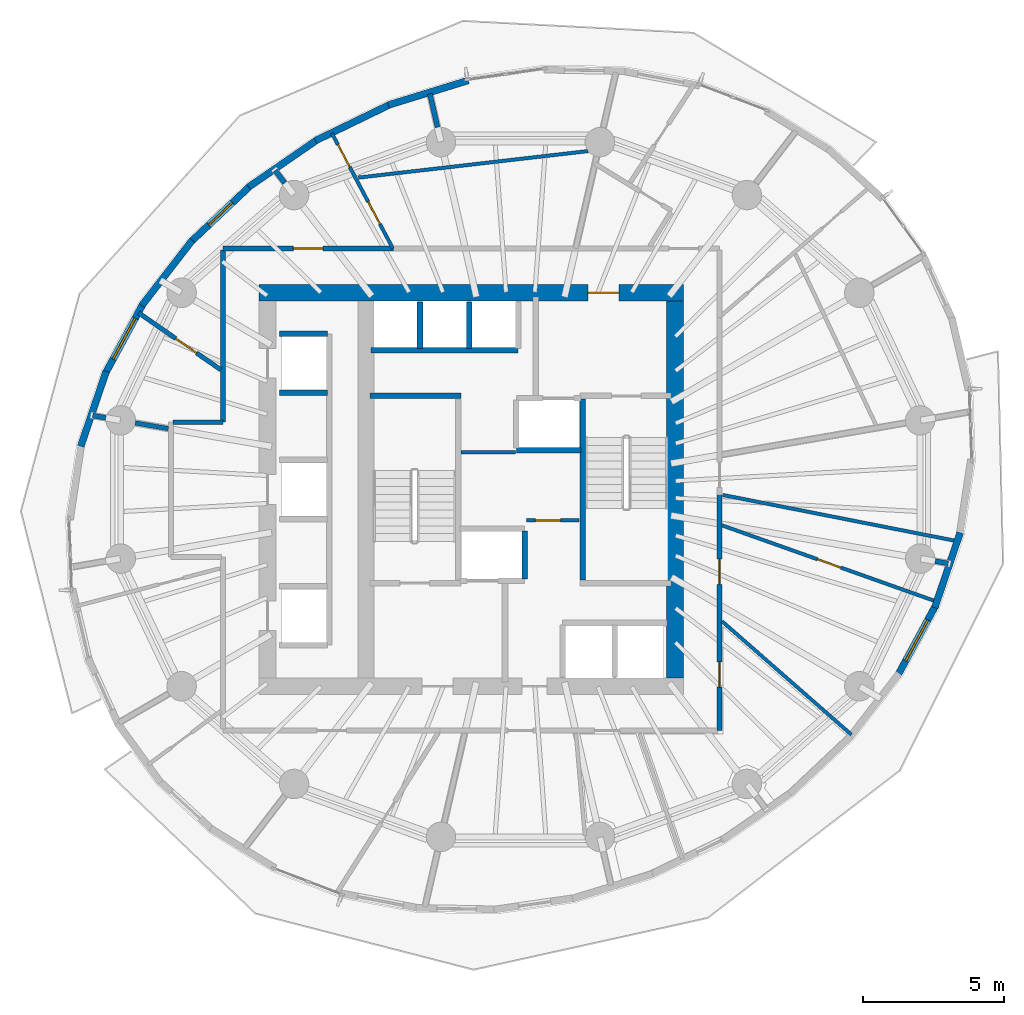
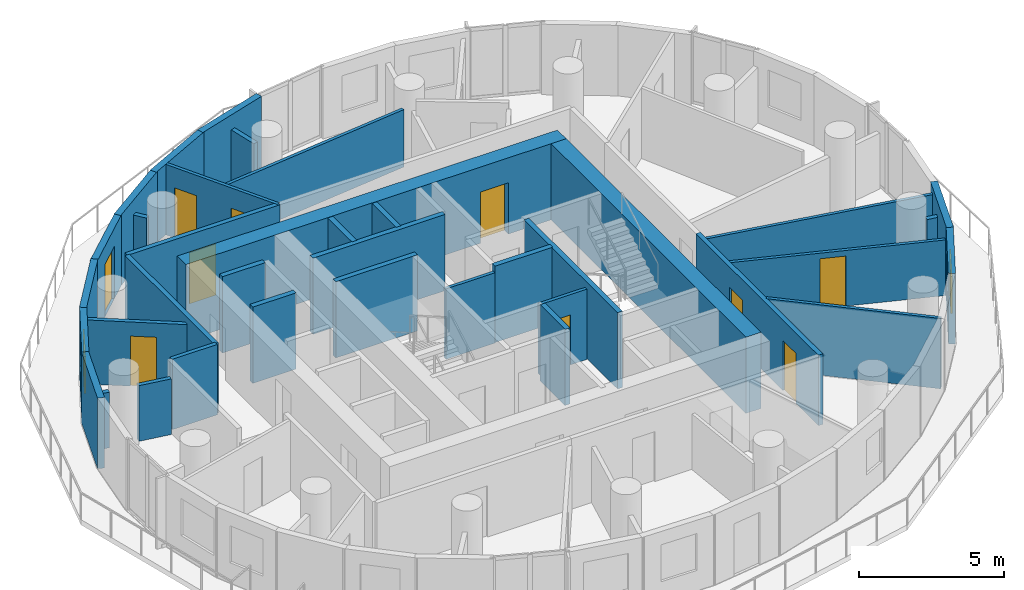
# One storey, part 7 of 14: 37 walls, 10 doors, 2 windows, 12 openings.
"""IFC4 building model written with IfcOpenShell, lengths in metres."""

from ifc_helpers import new_model, si_unit, direction, frame, frame_2d, origin, place, context, subcontext, project, spatial, rectangle, extrude, material, layer, layer_set, type_object, element, fill, save


model = new_model("IFC4")

# Units and contexts
model_context = context("Model", 3, precision=1e-05, world=origin(), true_north=direction((0.0, 1.0)))
body_context = subcontext(model_context, "Body", "Model", "MODEL_VIEW")
ifc_project = project(units=[si_unit("LENGTHUNIT", "METRE"), si_unit("AREAUNIT", "SQUARE_METRE"), si_unit("VOLUMEUNIT", "CUBIC_METRE"), si_unit("PLANEANGLEUNIT", "RADIAN"), si_unit("MASSUNIT", "GRAM", prefix="KILO")], contexts=[model_context])

# Site, building, storey
site_placement = place(None, origin())
site = spatial("IfcSite", under=ifc_project, at=site_placement, CompositionType="ELEMENT")
building_placement = place(site_placement, origin())
building = spatial("IfcBuilding", under=site, at=building_placement, Name="Veldorim Arch Residences", CompositionType="ELEMENT")
storey_placement = place(building_placement, frame((0.0, 0.0, 126.56005859375)))
storey = spatial("IfcBuildingStorey", under=building, at=storey_placement, Name="L37", CompositionType="ELEMENT", Elevation=126.56005859375)

# Wall, opening, door
ifc_material_1 = material(Name="Acoustic Gypsum Board", Category="gypsum")
ifc_layer_1 = layer(ifc_material_1, 0.125, Name="Acoustic Stud Room Partition Wall 125")
ifc_layer_set_1 = layer_set([ifc_layer_1], Name="Acoustic Gypsum Board")
wall_type_1 = type_object("IfcWallType", Name="Acoustic Stud Room Partition Wall 125", PredefinedType="PARTITIONING", material=ifc_layer_set_1)
wall_1_placement = place(storey_placement, frame((32.219970703125, 22.89990234375, 0.0), z_axis=(0.0, 0.0, 1.0), x_axis=(1.0, 0.0, 0.0)))
wall_1 = element("IfcWall", 1, at=wall_1_placement, inside=storey, type_object=wall_type_1, Name="L37 interior wall WL-CA-L37-2", PredefinedType="PARTITIONING", context=body_context, shape_type="SweptSolid", body=[
    extrude(rectangle(XDim=1.860107421875, YDim=0.125, at=frame_2d((0.93017578125, 0.0))), origin(), (0.0, 0.0, 1.0), 2.954833984375),
])
opening_1_placement = place(wall_1_placement, frame((0.31005859375, 0.0, 0.0)))
opening_1 = element("IfcOpeningElement", 2, at=opening_1_placement, cuts=wall_1, Name="Opening DR-SVC", PredefinedType="OPENING", context=body_context, shape_type="SweptSolid", body=[
    extrude(rectangle(XDim=0.89990234375, YDim=2.10009765625, at=frame_2d((0.449951171875, 1.050048828125))), frame((0.0, 0.072509765625, 0.0), z_axis=(0.0, -1.0, 0.0), x_axis=(1.0, 0.0, 0.0)), (0.0, 0.0, 1.0), 0.14501953125),
])
ifc_material_2 = material(Name="Fire-Rated Steel", Category="steel")
door_type_1 = type_object("IfcDoorType", Name="Riser, Shelter & Plant Room Rated Steel Door 900x2100", OperationType="SINGLE_SWING_LEFT", PredefinedType="DOOR", material=ifc_material_2)
door_1_placement = place(opening_1_placement, origin())
door_1 = element("IfcDoor", 3, at=door_1_placement, inside=storey, type_object=door_type_1, Name="L37 interior door DR-L37-CA1", OperationType="SINGLE_SWING_RIGHT", OverallHeight=2.10009765625, OverallWidth=0.89990234375, PredefinedType="DOOR", context=body_context, shape_type="SweptSolid", body=[
    extrude(rectangle(XDim=0.89990234375, YDim=2.10009765625, at=frame_2d((0.449951171875, 1.050048828125))), frame((0.0, 0.02490234375, 0.0), z_axis=(0.0, -1.0, 0.0), x_axis=(1.0, 0.0, 0.0)), (0.0, 0.0, 1.0), 0.050048828125),
])
fill(opening_1, door_1)

# Walls
wall_2_placement = place(storey_placement, frame((29.889892578125, 25.330078125, 0.0), z_axis=(0.0, 0.0, 1.0), x_axis=(1.0, 0.0, 0.0)))
element("IfcWall", 4, at=wall_2_placement, inside=storey, type_object=wall_type_1, Name="L37 interior wall WL-CA-L37-N", PredefinedType="PARTITIONING", context=body_context, shape_type="SweptSolid", body=[
    extrude(rectangle(XDim=1.940185546875, YDim=0.125, at=frame_2d((0.97021484375, 0.0))), origin(), (0.0, 0.0, 1.0), 2.954833984375),
])
wall_3_placement = place(storey_placement, frame((43.77490234375, 15.27734375, 0.0), z_axis=(0.0, 0.0, 1.0), x_axis=(-0.752092313191, 0.659057776252, 0.0)))
element("IfcWall", 5, at=wall_3_placement, inside=storey, type_object=wall_type_1, Name="L37 interior wall WL-RES-L37-013", PredefinedType="PARTITIONING", context=body_context, shape_type="SweptSolid", body=[
    extrude(rectangle(XDim=6.122314453125, YDim=0.125, at=frame_2d((3.06103515625, 0.0))), origin(), (0.0, 0.0, 1.0), 2.954833984375),
])

# Wall, opening, door
wall_4_placement = place(storey_placement, frame((39.17431640625, 22.723388671875, 0.0), z_axis=(0.0, 0.0, 1.0), x_axis=(0.942245152982, -0.334923978959, 0.0)))
wall_4 = element("IfcWall", 6, at=wall_4_placement, inside=storey, type_object=wall_type_1, Name="L37 interior wall WL-RES-L37-014", PredefinedType="PARTITIONING", context=body_context, shape_type="SweptSolid", body=[
    extrude(rectangle(XDim=8.09423828125, YDim=0.125, at=frame_2d((4.047119140625, 0.0))), origin(), (0.0, 0.0, 1.0), 2.335693359375),
])
opening_2_placement = place(wall_4_placement, frame((3.59716796875, 0.0, 0.0)))
opening_2 = element("IfcOpeningElement", 7, at=opening_2_placement, cuts=wall_4, Name="Opening DR-SVC", PredefinedType="OPENING", context=body_context, shape_type="SweptSolid", body=[
    extrude(rectangle(XDim=0.89990234375, YDim=2.10009765625, at=frame_2d((0.449951171875, 1.050048828125))), frame((0.0, 0.072509765625, 0.0), z_axis=(0.0, -1.0, 0.0), x_axis=(1.0, 0.0, 0.0)), (0.0, 0.0, 1.0), 0.14501953125),
])
door_2_placement = place(opening_2_placement, origin())
door_2 = element("IfcDoor", 8, at=door_2_placement, inside=storey, type_object=door_type_1, Name="L37 interior door DR-RES-L37-006", OperationType="SINGLE_SWING_RIGHT", OverallHeight=2.10009765625, OverallWidth=0.89990234375, PredefinedType="DOOR", context=body_context, shape_type="SweptSolid", body=[
    extrude(rectangle(XDim=0.89990234375, YDim=2.10009765625, at=frame_2d((0.449951171875, 1.050048828125))), frame((0.0, 0.02490234375, 0.0), z_axis=(0.0, -1.0, 0.0), x_axis=(1.0, 0.0, 0.0)), (0.0, 0.0, 1.0), 0.050048828125),
])
fill(opening_2, door_2)

# Wall
wall_5_placement = place(storey_placement, frame((47.53125, 22.163330078125, 0.0), z_axis=(0.0, 0.0, 1.0), x_axis=(-0.981139353497, 0.19330175638, 0.0)))
element("IfcWall", 9, at=wall_5_placement, inside=storey, type_object=wall_type_1, Name="L37 interior wall WL-RES-L37-018", PredefinedType="PARTITIONING", context=body_context, shape_type="SweptSolid", body=[
    extrude(rectangle(XDim=8.49365234375, YDim=0.125, at=frame_2d((4.246826171875, 0.0))), origin(), (0.0, 0.0, 1.0), 2.69189453125),
])

# Wall, openings, doors
wall_6_placement = place(storey_placement, frame((25.287353515625, 36.6796875, 0.0), z_axis=(0.0, 0.0, 1.0), x_axis=(0.467870793746, -0.88379687732, 0.0)))
wall_6 = element("IfcWall", 10, at=wall_6_placement, inside=storey, type_object=wall_type_1, Name="L37 interior wall WL-RES-L37-027", PredefinedType="PARTITIONING", context=body_context, shape_type="SweptSolid", body=[
    extrude(rectangle(XDim=4.638916015625, YDim=0.125, at=frame_2d((2.3193359375, 0.0))), origin(), (0.0, 0.0, 1.0), 2.954833984375),
])
opening_3_placement = place(wall_6_placement, frame((0.462646484375, 0.0, 0.0)))
opening_3 = element("IfcOpeningElement", 11, at=opening_3_placement, cuts=wall_6, Name="Opening DR-INT", PredefinedType="OPENING", context=body_context, shape_type="SweptSolid", body=[
    extrude(rectangle(XDim=0.89990234375, YDim=2.10009765625, at=frame_2d((0.449951171875, 1.050048828125))), frame((0.0, 0.072509765625, 0.0), z_axis=(0.0, -1.0, 0.0), x_axis=(1.0, 0.0, 0.0)), (0.0, 0.0, 1.0), 0.14501953125),
])
opening_4_placement = place(wall_6_placement, frame((2.761474609375, 0.0, 0.0)))
opening_4 = element("IfcOpeningElement", 12, at=opening_4_placement, cuts=wall_6, Name="Opening DR-INT", PredefinedType="OPENING", context=body_context, shape_type="SweptSolid", body=[
    extrude(rectangle(XDim=0.89990234375, YDim=2.10009765625, at=frame_2d((0.449951171875, 1.050048828125))), frame((0.0, 0.072509765625, 0.0), z_axis=(0.0, -1.0, 0.0), x_axis=(1.0, 0.0, 0.0)), (0.0, 0.0, 1.0), 0.14501953125),
])
ifc_material_3 = material(Name="Engineered Timber", Category="wood")
door_type_2 = type_object("IfcDoorType", Name="Apartment Internal Room Timber Door 900x2100", OperationType="SINGLE_SWING_LEFT", PredefinedType="DOOR", material=ifc_material_3)
door_3_placement = place(opening_3_placement, origin())
door_3 = element("IfcDoor", 13, at=door_3_placement, inside=storey, type_object=door_type_2, Name="L37 interior door DR-RES-L37-014", OperationType="SINGLE_SWING_RIGHT", OverallHeight=2.10009765625, OverallWidth=0.89990234375, PredefinedType="DOOR", context=body_context, shape_type="SweptSolid", body=[
    extrude(rectangle(XDim=0.89990234375, YDim=2.10009765625, at=frame_2d((0.449951171875, 1.050048828125))), frame((0.0, 0.02490234375, 0.0), z_axis=(0.0, -1.0, 0.0), x_axis=(1.0, 0.0, 0.0)), (0.0, 0.0, 1.0), 0.050048828125),
])
fill(opening_3, door_3)
door_4_placement = place(opening_4_placement, origin())
door_4 = element("IfcDoor", 14, at=door_4_placement, inside=storey, type_object=door_type_2, Name="L37 interior door DR-RES-L37-015", OperationType="SINGLE_SWING_LEFT", OverallHeight=2.10009765625, OverallWidth=0.89990234375, PredefinedType="DOOR", context=body_context, shape_type="SweptSolid", body=[
    extrude(rectangle(XDim=0.89990234375, YDim=2.10009765625, at=frame_2d((0.449951171875, 1.050048828125))), frame((0.0, 0.02490234375, 0.0), z_axis=(0.0, -1.0, 0.0), x_axis=(1.0, 0.0, 0.0)), (0.0, 0.0, 1.0), 0.050048828125),
])
fill(opening_4, door_4)

# Walls
wall_7_placement = place(storey_placement, frame((34.405029296875, 36.041015625, 0.0), z_axis=(0.0, 0.0, 1.0), x_axis=(-0.993396455776, -0.114732217146, 0.0)))
element("IfcWall", 15, at=wall_7_placement, inside=storey, type_object=wall_type_1, Name="L37 interior wall WL-RES-L37-029", PredefinedType="PARTITIONING", context=body_context, shape_type="SweptSolid", body=[
    extrude(rectangle(XDim=8.228759765625, YDim=0.125, at=frame_2d((4.1142578125, 0.0))), origin(), (0.0, 0.0, 1.0), 2.411376953125),
])
ifc_material_4 = material(Name="Lightweight Masonry Block & Gypsum", Category="masonry")
ifc_layer_2 = layer(ifc_material_4, 0.179931640625, Name="Compartment & Corridor Fire-Rated Party Wall 180")
ifc_layer_set_2 = layer_set([ifc_layer_2], Name="Lightweight Masonry Block & Gypsum")
wall_type_2 = type_object("IfcWallType", Name="Compartment & Corridor Fire-Rated Party Wall 180", PredefinedType="PARTITIONING", material=ifc_layer_set_2)
wall_8_placement = place(storey_placement, frame((29.049560546875, 36.88916015625, 0.0), z_axis=(0.0, 0.0, 1.0), x_axis=(-0.223107064029, 0.974793946422, 0.0)))
element("IfcWall", 16, at=wall_8_placement, inside=storey, type_object=wall_type_2, Name="L37 interior wall WL-PIER-L37-05", PredefinedType="PARTITIONING", context=body_context, shape_type="SweptSolid", body=[
    extrude(rectangle(XDim=1.22119140625, YDim=0.179931640625, at=frame_2d((0.610595703125, 0.0))), origin(), (0.0, 0.0, 1.0), 2.335693359375),
])
wall_9_placement = place(storey_placement, frame((23.612060546875, 34.908447265625, 0.0), z_axis=(0.0, 0.0, 1.0), x_axis=(-0.609498830183, 0.792786967605, 0.0)))
element("IfcWall", 17, at=wall_9_placement, inside=storey, type_object=wall_type_2, Name="L37 interior wall WL-PIER-L37-06", PredefinedType="PARTITIONING", context=body_context, shape_type="SweptSolid", body=[
    extrude(rectangle(XDim=0.556884765625, YDim=0.179931640625, at=frame_2d((0.2783203125, 0.0))), origin(), (0.0, 0.0, 1.0), 2.335693359375),
])
for number, where, z_axis, x_axis, name in (
    (18, (17.24169921875, 26.55078125, 0.0), (0.0, 0.0, 1.0), (-0.985345448397, 0.170570651999, 0.0), "L37 interior wall WL-PIER-L37-08"),
    (19, (46.75830078125, 21.44921875, 0.0), (0.0, 0.0, 1.0), (0.985345448397, -0.170570651999, 0.0), "L37 interior wall WL-PIER-L37-16"),
):
    element("IfcWall", number, at=place(storey_placement, frame(where, z_axis=z_axis, x_axis=x_axis)), inside=storey, type_object=wall_type_2, Name=name, PredefinedType="PARTITIONING", context=body_context, shape_type="SweptSolid", body=[
        extrude(rectangle(XDim=0.468017578125, YDim=0.179931640625, at=frame_2d((0.23388671875, 0.0))), origin(), (0.0, 0.0, 1.0), 2.335693359375),
    ])

# Wall, openings, doors
wall_10_placement = place(storey_placement, frame((39.080078125, 23.848388671875, 0.0), z_axis=(0.0, 0.0, 1.0), x_axis=(0.0, -1.0, 0.0)))
wall_10 = element("IfcWall", 20, at=wall_10_placement, inside=storey, type_object=wall_type_2, Name="L37 interior wall WL-RES-L37-001", PredefinedType="PARTITIONING", context=body_context, shape_type="SweptSolid", body=[
    extrude(rectangle(XDim=8.428466796875, YDim=0.179931640625, at=frame_2d((4.21435546875, 0.0))), origin(), (0.0, 0.0, 1.0), 2.954833984375),
])
opening_5_placement = place(wall_10_placement, frame((2.327392578125, 0.0, 0.0)))
opening_5 = element("IfcOpeningElement", 21, at=opening_5_placement, cuts=wall_10, Name="Opening DR-SVC", PredefinedType="OPENING", context=body_context, shape_type="SweptSolid", body=[
    extrude(rectangle(XDim=0.89990234375, YDim=2.10009765625, at=frame_2d((0.449951171875, 1.050048828125))), frame((0.0, 0.099853515625, 0.0), z_axis=(0.0, -1.0, 0.0), x_axis=(1.0, 0.0, 0.0)), (0.0, 0.0, 1.0), 0.199951171875),
])
opening_6_placement = place(wall_10_placement, frame((5.982666015625, 0.0, 0.0)))
opening_6 = element("IfcOpeningElement", 22, at=opening_6_placement, cuts=wall_10, Name="Opening DR-INT", PredefinedType="OPENING", context=body_context, shape_type="SweptSolid", body=[
    extrude(rectangle(XDim=0.89990234375, YDim=2.10009765625, at=frame_2d((0.449951171875, 1.050048828125))), frame((0.0, 0.099853515625, 0.0), z_axis=(0.0, -1.0, 0.0), x_axis=(1.0, 0.0, 0.0)), (0.0, 0.0, 1.0), 0.199951171875),
])
door_5_placement = place(opening_6_placement, origin())
door_5 = element("IfcDoor", 23, at=door_5_placement, inside=storey, type_object=door_type_2, Name="L37 interior door DR-RES-L37-002", OperationType="SINGLE_SWING_RIGHT", OverallHeight=2.10009765625, OverallWidth=0.89990234375, PredefinedType="DOOR", context=body_context, shape_type="SweptSolid", body=[
    extrude(rectangle(XDim=0.89990234375, YDim=2.10009765625, at=frame_2d((0.449951171875, 1.050048828125))), frame((0.0, 0.02490234375, 0.0), z_axis=(0.0, -1.0, 0.0), x_axis=(1.0, 0.0, 0.0)), (0.0, 0.0, 1.0), 0.050048828125),
])
fill(opening_6, door_5)
door_6_placement = place(opening_5_placement, origin())
door_6 = element("IfcDoor", 24, at=door_6_placement, inside=storey, type_object=door_type_1, Name="L37 interior door DR-RES-L37-001", OperationType="SINGLE_SWING_LEFT", OverallHeight=2.10009765625, OverallWidth=0.89990234375, PredefinedType="DOOR", context=body_context, shape_type="SweptSolid", body=[
    extrude(rectangle(XDim=0.89990234375, YDim=2.10009765625, at=frame_2d((0.449951171875, 1.050048828125))), frame((0.0, 0.02490234375, 0.0), z_axis=(0.0, -1.0, 0.0), x_axis=(1.0, 0.0, 0.0)), (0.0, 0.0, 1.0), 0.050048828125),
])
fill(opening_5, door_6)

# Wall, opening, door
wall_11_placement = place(storey_placement, frame((21.419921875, 32.580078125, 0.0), z_axis=(0.0, 0.0, 1.0), x_axis=(1.0, 0.0, 0.0)))
wall_11 = element("IfcWall", 25, at=wall_11_placement, inside=storey, type_object=wall_type_2, Name="L37 interior wall WL-RES-L37-006", PredefinedType="PARTITIONING", context=body_context, shape_type="SweptSolid", body=[
    extrude(rectangle(XDim=6.057861328125, YDim=0.179931640625, at=frame_2d((3.02880859375, 0.0))), origin(), (0.0, 0.0, 1.0), 2.954833984375),
])
opening_7_placement = place(wall_11_placement, frame((2.50390625, 0.0, 0.0)))
opening_7 = element("IfcOpeningElement", 26, at=opening_7_placement, cuts=wall_11, Name="Opening DR-FLT", PredefinedType="OPENING", context=body_context, shape_type="SweptSolid", body=[
    extrude(rectangle(XDim=1.050048828125, YDim=2.14990234375, at=frame_2d((0.52490234375, 1.074951171875))), frame((0.0, 0.099853515625, 0.0), z_axis=(0.0, -1.0, 0.0), x_axis=(1.0, 0.0, 0.0)), (0.0, 0.0, 1.0), 0.199951171875),
])
ifc_material_5 = material(Name="Fire-Rated Timber", Category="wood")
door_type_3 = type_object("IfcDoorType", Name="Apartment Entrance Solid-Core Fire Door 1050x2150", OperationType="SINGLE_SWING_LEFT", PredefinedType="DOOR", material=ifc_material_5)
door_7_placement = place(opening_7_placement, origin())
door_7 = element("IfcDoor", 27, at=door_7_placement, inside=storey, type_object=door_type_3, Name="L37 interior door DR-RES-L37-012", OperationType="SINGLE_SWING_RIGHT", OverallHeight=2.14990234375, OverallWidth=1.050048828125, PredefinedType="DOOR", context=body_context, shape_type="SweptSolid", body=[
    extrude(rectangle(XDim=1.050048828125, YDim=2.14990234375, at=frame_2d((0.52490234375, 1.074951171875))), frame((0.0, 0.02490234375, 0.0), z_axis=(0.0, -1.0, 0.0), x_axis=(1.0, 0.0, 0.0)), (0.0, 0.0, 1.0), 0.050048828125),
])
fill(opening_7, door_7)

# Walls
wall_12_placement = place(storey_placement, frame((21.419921875, 26.39990234375, 0.0), z_axis=(0.0, 0.0, 1.0), x_axis=(0.0, 1.0, 0.0)))
element("IfcWall", 28, at=wall_12_placement, inside=storey, type_object=wall_type_2, Name="L37 interior wall WL-RES-L37-007", PredefinedType="PARTITIONING", context=body_context, shape_type="SweptSolid", body=[
    extrude(rectangle(XDim=6.1201171875, YDim=0.179931640625, at=frame_2d((3.06005859375, 0.0))), origin(), (0.0, 0.0, 1.0), 2.954833984375),
])
ifc_material_6 = material(Name="Concrete C50/60", Category="concrete")
ifc_layer_3 = layer(ifc_material_6, 0.199951171875, Name="Core Stair & Lift Shaft Enclosure Wall 200")
ifc_layer_set_3 = layer_set([ifc_layer_3], Name="Concrete C50/60")
wall_type_3 = type_object("IfcWallType", Name="Core Stair & Lift Shaft Enclosure Wall 200", PredefinedType="SHEAR", material=ifc_layer_set_3)
wall_13_placement = place(storey_placement, frame((26.64990234375, 27.330078125, 0.0), z_axis=(0.0, 0.0, 1.0), x_axis=(1.0, 0.0, 0.0)))
element("IfcWall", 29, at=wall_13_placement, inside=storey, type_object=wall_type_3, Name="L37 shaft wall WL-SHF-L37-ST1-N", PredefinedType="SHEAR", context=body_context, shape_type="SweptSolid", body=[
    extrude(rectangle(XDim=3.239990234375, YDim=0.199951171875, at=frame_2d((1.6201171875, 0.0))), origin(), (0.0, 0.0, 1.0), 3.199951171875),
])
wall_14_placement = place(storey_placement, frame((34.2099609375, 20.780029296875, 0.0), z_axis=(0.0, 0.0, 1.0), x_axis=(0.0, 1.0, 0.0)))
element("IfcWall", 30, at=wall_14_placement, inside=storey, type_object=wall_type_3, Name="L37 shaft wall WL-SHF-L37-ST2-W", PredefinedType="SHEAR", context=body_context, shape_type="SweptSolid", body=[
    extrude(rectangle(XDim=6.43994140625, YDim=0.199951171875, at=frame_2d((3.219970703125, 0.0))), origin(), (0.0, 0.0, 1.0), 3.199951171875),
])
wall_15_placement = place(storey_placement, frame((32.14990234375, 20.820068359375, 0.0), z_axis=(0.0, 0.0, 1.0), x_axis=(0.0, 1.0, 0.0)))
element("IfcWall", 31, at=wall_15_placement, inside=storey, type_object=wall_type_3, Name="L37 shaft wall WL-FL01-L37-E", PredefinedType="SHEAR", context=body_context, shape_type="SweptSolid", body=[
    extrude(rectangle(XDim=1.7099609375, YDim=0.199951171875, at=frame_2d((0.85498046875, 0.0))), origin(), (0.0, 0.0, 1.0), 3.199951171875),
])
wall_16_placement = place(storey_placement, frame((31.85009765625, 25.39990234375, 0.0), z_axis=(0.0, 0.0, 1.0), x_axis=(1.0, 0.0, 0.0)))
element("IfcWall", 32, at=wall_16_placement, inside=storey, type_object=wall_type_3, Name="L37 shaft wall WL-FL02-L37-S", PredefinedType="SHEAR", context=body_context, shape_type="SweptSolid", body=[
    extrude(rectangle(XDim=2.2998046875, YDim=0.199951171875, at=frame_2d((1.14990234375, 0.0))), origin(), (0.0, 0.0, 1.0), 3.199951171875),
])
for number, where, z_axis, x_axis, name in (
    (33, (23.419921875, 29.5400390625, 0.0), (0.0, 0.0, 1.0), (1.0, 0.0, 0.0), "L37 shaft wall WL-B2-L37-N"),
    (34, (23.419921875, 27.43994140625, 0.0), (0.0, 0.0, 1.0), (1.0, 0.0, 0.0), "L37 shaft wall WL-B2-L37-D2B"),
):
    element("IfcWall", number, at=place(storey_placement, frame(where, z_axis=z_axis, x_axis=x_axis)), inside=storey, type_object=wall_type_3, Name=name, PredefinedType="SHEAR", context=body_context, shape_type="SweptSolid", body=[
        extrude(rectangle(XDim=1.7099609375, YDim=0.199951171875, at=frame_2d((0.85498046875, 0.0))), origin(), (0.0, 0.0, 1.0), 3.199951171875),
    ])
wall_17_placement = place(storey_placement, frame((26.679931640625, 28.949951171875, 0.0), z_axis=(0.0, 0.0, 1.0), x_axis=(1.0, 0.0, 0.0)))
element("IfcWall", 35, at=wall_17_placement, inside=storey, type_object=wall_type_3, Name="L37 shaft wall WL-B3-L37-S", PredefinedType="SHEAR", context=body_context, shape_type="SweptSolid", body=[
    extrude(rectangle(XDim=5.239990234375, YDim=0.199951171875, at=frame_2d((2.6201171875, 0.0))), origin(), (0.0, 0.0, 1.0), 3.199951171875),
])
for number, where, z_axis, x_axis, name in (
    (36, (28.425048828125, 29.02001953125, 0.0), (0.0, 0.0, 1.0), (0.0, 1.0, 0.0), "L37 shaft wall WL-B3-L37-D1"),
    (37, (30.175048828125, 29.02001953125, 0.0), (0.0, 0.0, 1.0), (0.0, 1.0, 0.0), "L37 shaft wall WL-B3-L37-D2"),
):
    element("IfcWall", number, at=place(storey_placement, frame(where, z_axis=z_axis, x_axis=x_axis)), inside=storey, type_object=wall_type_3, Name=name, PredefinedType="SHEAR", context=body_context, shape_type="SweptSolid", body=[
        extrude(rectangle(XDim=1.659912109375, YDim=0.199951171875, at=frame_2d((0.830078125, 0.0))), origin(), (0.0, 0.0, 1.0), 3.199951171875),
    ])

# Wall, opening, door
ifc_material_7 = material(Name="Concrete C50/60", Category="concrete")
ifc_layer_4 = layer(ifc_material_7, 0.60009765625, Name="Mid-Upper Central Core Shear Wall 600")
ifc_layer_set_4 = layer_set([ifc_layer_4], Name="Concrete C50/60")
wall_type_4 = type_object("IfcWallType", Name="Mid-Upper Central Core Shear Wall 600", PredefinedType="SHEAR", material=ifc_layer_set_4)
wall_18_placement = place(storey_placement, frame((22.699951171875, 31.0, 0.0), z_axis=(0.0, 0.0, 1.0), x_axis=(1.0, 0.0, 0.0)))
wall_18 = element("IfcWall", 38, at=wall_18_placement, inside=storey, type_object=wall_type_4, Name="L37 central core north shear wall", PredefinedType="SHEAR", context=body_context, shape_type="SweptSolid", body=[
    extrude(rectangle(XDim=15.10009765625, YDim=0.60009765625, at=frame_2d((7.550048828125, 0.0))), origin(), (0.0, 0.0, 1.0), 3.199951171875),
])
opening_8_placement = place(wall_18_placement, frame((11.699951171875, 0.0, 0.0)))
opening_8 = element("IfcOpeningElement", 39, at=opening_8_placement, cuts=wall_18, Name="Opening DR-FFL", PredefinedType="OPENING", context=body_context, shape_type="SweptSolid", body=[
    extrude(rectangle(XDim=1.10009765625, YDim=2.14990234375, at=frame_2d((0.550048828125, 1.074951171875))), frame((0.0, 0.31005859375, 0.0), z_axis=(0.0, -1.0, 0.0), x_axis=(1.0, 0.0, 0.0)), (0.0, 0.0, 1.0), 0.6201171875),
])
ifc_material_8 = material(Name="Fire-Rated Steel & Vision Glass", Category="steel")
door_type_4 = type_object("IfcDoorType", Name="Firefighting Lobby Smoke-Stop Fire Door 1100x2150", OperationType="SINGLE_SWING_LEFT", PredefinedType="DOOR", material=ifc_material_8)
door_8_placement = place(opening_8_placement, origin())
door_8 = element("IfcDoor", 40, at=door_8_placement, inside=storey, type_object=door_type_4, Name="L37 interior door DR-L37-FFL2", OperationType="SINGLE_SWING_LEFT", OverallHeight=2.14990234375, OverallWidth=1.10009765625, PredefinedType="DOOR", context=body_context, shape_type="SweptSolid", body=[
    extrude(rectangle(XDim=1.10009765625, YDim=2.14990234375, at=frame_2d((0.550048828125, 1.074951171875))), frame((0.0, 0.02490234375, 0.0), z_axis=(0.0, -1.0, 0.0), x_axis=(1.0, 0.0, 0.0)), (0.0, 0.0, 1.0), 0.050048828125),
])
fill(opening_8, door_8)

# Walls
wall_19_placement = place(storey_placement, frame((37.5, 17.300048828125, 0.0), z_axis=(0.0, 0.0, 1.0), x_axis=(0.0, 1.0, 0.0)))
element("IfcWall", 41, at=wall_19_placement, inside=storey, type_object=wall_type_4, Name="L37 central core east shear wall", PredefinedType="SHEAR", context=body_context, shape_type="SweptSolid", body=[
    extrude(rectangle(XDim=13.39990234375, YDim=0.60009765625, at=frame_2d((6.699951171875, 0.0))), origin(), (0.0, 0.0, 1.0), 3.199951171875),
])
ifc_material_9 = material(Name="Precast concrete C40/50", Category="concrete")
ifc_layer_5 = layer(ifc_material_9, 0.25, Name="Tower Terracotta Spandrel & Pier Wall 250")
ifc_layer_set_5 = layer_set([ifc_layer_5], Name="Precast concrete C40/50")
wall_type_5 = type_object("IfcWallType", Name="Tower Terracotta Spandrel & Pier Wall 250", PredefinedType="SOLIDWALL", material=ifc_layer_set_5)
wall_20_placement = place(storey_placement, frame((27.297607421875, 37.681396484375, 0.0), z_axis=(0.0, 0.0, 1.0), x_axis=(0.955653025963, 0.294494981227, 0.0)))
element("IfcWall", 42, at=wall_20_placement, inside=storey, type_object=wall_type_5, Name="L37 terracotta facade wall 08", PredefinedType="SOLIDWALL", context=body_context, shape_type="SweptSolid", body=[
    extrude(rectangle(XDim=2.97705078125, YDim=0.25, at=frame_2d((1.488525390625, 0.0))), origin(), (0.0, 0.0, 1.0), 2.9599609375),
])
for number, where, z_axis, x_axis, name in (
    (43, (24.701416015625, 36.412109375, 0.0), (0.0, 0.0, 1.0), (0.899657133161, 0.436597117206, 0.0), "L37 terracotta facade wall 09"),
    (44, (22.3271484375, 34.7646484375, 0.0), (0.0, 0.0, 1.0), (0.823228532994, 0.567710121863, 0.0), "L37 terracotta facade wall 10"),
):
    element("IfcWall", number, at=place(storey_placement, frame(where, z_axis=z_axis, x_axis=x_axis)), inside=storey, type_object=wall_type_5, Name=name, PredefinedType="SOLIDWALL", context=body_context, shape_type="SweptSolid", body=[
        extrude(rectangle(XDim=2.998291015625, YDim=0.25, at=frame_2d((1.4990234375, 0.0))), origin(), (0.0, 0.0, 1.0), 2.9599609375),
    ])

# Wall, opening, door
wall_21_placement = place(storey_placement, frame((20.2470703125, 32.789306640625, 0.0), z_axis=(0.0, 0.0, 1.0), x_axis=(0.727113217486, 0.686517566386, 0.0)))
wall_21 = element("IfcWall", 45, at=wall_21_placement, inside=storey, type_object=wall_type_5, Name="L37 terracotta facade wall 11", PredefinedType="SOLIDWALL", context=body_context, shape_type="SweptSolid", body=[
    extrude(rectangle(XDim=2.976806640625, YDim=0.25, at=frame_2d((1.48828125, 0.0))), origin(), (0.0, 0.0, 1.0), 2.9599609375),
])
opening_9_placement = place(wall_21_placement, frame((0.9140625, 0.0, 0.0)))
opening_9 = element("IfcOpeningElement", 46, at=opening_9_placement, cuts=wall_21, Name="Opening BL-DR", PredefinedType="OPENING", context=body_context, shape_type="SweptSolid", body=[
    extrude(rectangle(XDim=1.14990234375, YDim=2.199951171875, at=frame_2d((0.574951171875, 1.10009765625))), frame((0.0, 0.135009765625, 0.0), z_axis=(0.0, -1.0, 0.0), x_axis=(1.0, 0.0, 0.0)), (0.0, 0.0, 1.0), 0.27001953125),
])
ifc_material_10 = material(Name="Aluminium & Low-E Glass", Category="aluminium")
door_type_5 = type_object("IfcDoorType", Name="Glazed Planted Balcony Door 1150x2200", OperationType="SINGLE_SWING_LEFT", PredefinedType="DOOR", material=ifc_material_10)
door_9_placement = place(opening_9_placement, origin())
door_9 = element("IfcDoor", 47, at=door_9_placement, inside=storey, type_object=door_type_5, Name="L37 glazed outdoor terrace door BALC-1", OperationType="SINGLE_SWING_LEFT", OverallHeight=2.199951171875, OverallWidth=1.14990234375, PredefinedType="DOOR", context=body_context, shape_type="SweptSolid", body=[
    extrude(rectangle(XDim=1.14990234375, YDim=2.199951171875, at=frame_2d((0.574951171875, 1.10009765625))), frame((0.0, 0.02490234375, 0.0), z_axis=(0.0, -1.0, 0.0), x_axis=(1.0, 0.0, 0.0)), (0.0, 0.0, 1.0), 0.050048828125),
])
fill(opening_9, door_9)

# Wall
wall_22_placement = place(storey_placement, frame((18.524658203125, 30.54638671875, 0.0), z_axis=(0.0, 0.0, 1.0), x_axis=(0.611416743811, 0.791308767415, 0.0)))
element("IfcWall", 48, at=wall_22_placement, inside=storey, type_object=wall_type_5, Name="L37 terracotta facade wall 12", PredefinedType="SOLIDWALL", context=body_context, shape_type="SweptSolid", body=[
    extrude(rectangle(XDim=2.936767578125, YDim=0.25, at=frame_2d((1.46826171875, 0.0))), origin(), (0.0, 0.0, 1.0), 2.9599609375),
])

# Wall, opening, window
wall_23_placement = place(storey_placement, frame((17.212890625, 28.10400390625, 0.0), z_axis=(0.0, 0.0, 1.0), x_axis=(0.476018404115, 0.879435318226, 0.0)))
wall_23 = element("IfcWall", 49, at=wall_23_placement, inside=storey, type_object=wall_type_5, Name="L37 terracotta facade wall 13", PredefinedType="SOLIDWALL", context=body_context, shape_type="SweptSolid", body=[
    extrude(rectangle(XDim=2.8818359375, YDim=0.25, at=frame_2d((1.44091796875, 0.0))), origin(), (0.0, 0.0, 1.0), 2.9599609375),
])
opening_10_placement = place(wall_23_placement, frame((0.615966796875, 0.0, 0.85009765625)))
opening_10 = element("IfcOpeningElement", 50, at=opening_10_placement, cuts=wall_23, Name="Opening WN-03", PredefinedType="OPENING", context=body_context, shape_type="SweptSolid", body=[
    extrude(rectangle(XDim=1.64990234375, YDim=1.550048828125, at=frame_2d((0.824951171875, 0.77490234375))), frame((0.0, 0.135009765625, 0.0), z_axis=(0.0, -1.0, 0.0), x_axis=(1.0, 0.0, 0.0)), (0.0, 0.0, 1.0), 0.27001953125),
])
ifc_material_11 = material(Name="Laminated Low-E Glass", Category="glass")
window_type = type_object("IfcWindowType", Name="Residential Wide Window 1650x1550", PartitioningType="SINGLE_PANEL", PredefinedType="WINDOW", material=ifc_material_11)
window_1_placement = place(opening_10_placement, origin())
window_1 = element("IfcWindow", 51, at=window_1_placement, inside=storey, type_object=window_type, Name="L37 solar-control facade window 13", OverallHeight=1.550048828125, OverallWidth=1.64990234375, PartitioningType="SINGLE_PANEL", PredefinedType="WINDOW", context=body_context, shape_type="SweptSolid", body=[
    extrude(rectangle(XDim=1.64990234375, YDim=1.550048828125, at=frame_2d((0.824951171875, 0.77490234375))), frame((0.0, 0.030029296875, 0.0), z_axis=(0.0, -1.0, 0.0), x_axis=(1.0, 0.0, 0.0)), (0.0, 0.0, 1.0), 0.06005859375),
])
fill(opening_10, window_1)

# Wall
wall_24_placement = place(storey_placement, frame((16.351318359375, 25.53759765625, 0.0), z_axis=(0.0, 0.0, 1.0), x_axis=(0.321473951892, 0.946918422175, 0.0)))
element("IfcWall", 52, at=wall_24_placement, inside=storey, type_object=wall_type_5, Name="L37 terracotta facade wall 14", PredefinedType="SOLIDWALL", context=body_context, shape_type="SweptSolid", body=[
    extrude(rectangle(XDim=2.817626953125, YDim=0.25, at=frame_2d((1.40869140625, 0.0))), origin(), (0.0, 0.0, 1.0), 2.9599609375),
])

# Wall, opening, window
wall_25_placement = place(storey_placement, frame((46.787109375, 19.89599609375, 0.0), z_axis=(0.0, 0.0, 1.0), x_axis=(-0.476018404115, -0.879435318226, 0.0)))
wall_25 = element("IfcWall", 53, at=wall_25_placement, inside=storey, type_object=wall_type_5, Name="L37 terracotta facade wall 31", PredefinedType="SOLIDWALL", context=body_context, shape_type="SweptSolid", body=[
    extrude(rectangle(XDim=2.8818359375, YDim=0.25, at=frame_2d((1.44091796875, 0.0))), origin(), (0.0, 0.0, 1.0), 2.9599609375),
])
opening_11_placement = place(wall_25_placement, frame((0.615966796875, 0.0, 0.85009765625)))
opening_11 = element("IfcOpeningElement", 54, at=opening_11_placement, cuts=wall_25, Name="Opening WN-03", PredefinedType="OPENING", context=body_context, shape_type="SweptSolid", body=[
    extrude(rectangle(XDim=1.64990234375, YDim=1.550048828125, at=frame_2d((0.824951171875, 0.77490234375))), frame((0.0, 0.135009765625, 0.0), z_axis=(0.0, -1.0, 0.0), x_axis=(1.0, 0.0, 0.0)), (0.0, 0.0, 1.0), 0.27001953125),
])
window_2_placement = place(opening_11_placement, origin())
window_2 = element("IfcWindow", 55, at=window_2_placement, inside=storey, type_object=window_type, Name="L37 solar-control facade window 31", OverallHeight=1.550048828125, OverallWidth=1.64990234375, PartitioningType="SINGLE_PANEL", PredefinedType="WINDOW", context=body_context, shape_type="SweptSolid", body=[
    extrude(rectangle(XDim=1.64990234375, YDim=1.550048828125, at=frame_2d((0.824951171875, 0.77490234375))), frame((0.0, 0.030029296875, 0.0), z_axis=(0.0, -1.0, 0.0), x_axis=(1.0, 0.0, 0.0)), (0.0, 0.0, 1.0), 0.06005859375),
])
fill(opening_11, window_2)

# Walls
wall_26_placement = place(storey_placement, frame((47.648681640625, 22.46240234375, 0.0), z_axis=(0.0, 0.0, 1.0), x_axis=(-0.321473951892, -0.946918422175, 0.0)))
element("IfcWall", 56, at=wall_26_placement, inside=storey, type_object=wall_type_5, Name="L37 terracotta facade wall 32", PredefinedType="SOLIDWALL", context=body_context, shape_type="SweptSolid", body=[
    extrude(rectangle(XDim=2.817626953125, YDim=0.25, at=frame_2d((1.40869140625, 0.0))), origin(), (0.0, 0.0, 1.0), 2.9599609375),
])
ifc_material_12 = material(Name="Moisture-Resistant Gypsum & Stud", Category="gypsum")
ifc_layer_6 = layer(ifc_material_12, 0.159912109375, Name="Wet-Area Moisture-Resistant Plumbing Wall 160")
ifc_layer_set_6 = layer_set([ifc_layer_6], Name="Moisture-Resistant Gypsum & Stud")
wall_type_6 = type_object("IfcWallType", Name="Wet-Area Moisture-Resistant Plumbing Wall 160", PredefinedType="PLUMBINGWALL", material=ifc_layer_set_6)
wall_27_placement = place(storey_placement, frame((19.6298828125, 26.39990234375, 0.0), z_axis=(0.0, 0.0, 1.0), x_axis=(1.0, 0.0, 0.0)))
element("IfcWall", 57, at=wall_27_placement, inside=storey, type_object=wall_type_6, Name="L37 interior wall WL-RES-L37-009", PredefinedType="PLUMBINGWALL", context=body_context, shape_type="SweptSolid", body=[
    extrude(rectangle(XDim=1.7900390625, YDim=0.159912109375, at=frame_2d((0.89501953125, 0.0))), origin(), (0.0, 0.0, 1.0), 2.954833984375),
])

# Wall, opening, door
wall_28_placement = place(storey_placement, frame((21.337890625, 28.260498046875, 0.0), z_axis=(0.0, 0.0, 1.0), x_axis=(-0.822095882312, 0.569349067168, 0.0)))
wall_28 = element("IfcWall", 58, at=wall_28_placement, inside=storey, type_object=wall_type_6, Name="L37 interior wall WL-RES-L37-026", PredefinedType="PLUMBINGWALL", context=body_context, shape_type="SweptSolid", body=[
    extrude(rectangle(XDim=3.5595703125, YDim=0.159912109375, at=frame_2d((1.77978515625, 0.0))), origin(), (0.0, 0.0, 1.0), 2.69189453125),
])
opening_12_placement = place(wall_28_placement, frame((1.0498046875, 0.0, 0.0)))
opening_12 = element("IfcOpeningElement", 59, at=opening_12_placement, cuts=wall_28, Name="Opening DR-WC", PredefinedType="OPENING", context=body_context, shape_type="SweptSolid", body=[
    extrude(rectangle(XDim=0.89990234375, YDim=2.10009765625, at=frame_2d((0.449951171875, 1.050048828125))), frame((0.0, 0.08984375, 0.0), z_axis=(0.0, -1.0, 0.0), x_axis=(1.0, 0.0, 0.0)), (0.0, 0.0, 1.0), 0.179931640625),
])
ifc_material_13 = material(Name="Laminate Timber", Category="wood")
door_type_6 = type_object("IfcDoorType", Name="Bathroom & Accessible WC Moisture-Sealed Door 900x2100", OperationType="SINGLE_SWING_LEFT", PredefinedType="DOOR", material=ifc_material_13)
door_10_placement = place(opening_12_placement, origin())
door_10 = element("IfcDoor", 60, at=door_10_placement, inside=storey, type_object=door_type_6, Name="L37 interior door DR-RES-L37-013", OperationType="SINGLE_SWING_LEFT", OverallHeight=2.10009765625, OverallWidth=0.89990234375, PredefinedType="DOOR", context=body_context, shape_type="SweptSolid", body=[
    extrude(rectangle(XDim=0.89990234375, YDim=2.10009765625, at=frame_2d((0.449951171875, 1.050048828125))), frame((0.0, 0.02490234375, 0.0), z_axis=(0.0, -1.0, 0.0), x_axis=(1.0, 0.0, 0.0)), (0.0, 0.0, 1.0), 0.050048828125),
])
fill(opening_12, door_10)

# Wall
wall_29_placement = place(storey_placement, frame((19.471435546875, 26.16552734375, 0.0), z_axis=(0.0, 0.0, 1.0), x_axis=(-0.985385550807, 0.170338827815, 0.0)))
element("IfcWall", 61, at=wall_29_placement, inside=storey, type_object=wall_type_6, Name="L37 interior wall WL-RES-L37-028", PredefinedType="PLUMBINGWALL", context=body_context, shape_type="SweptSolid", body=[
    extrude(rectangle(XDim=1.1923828125, YDim=0.159912109375, at=frame_2d((0.59619140625, 0.0))), origin(), (0.0, 0.0, 1.0), 2.335693359375),
])

save(model, "model.ifc")
